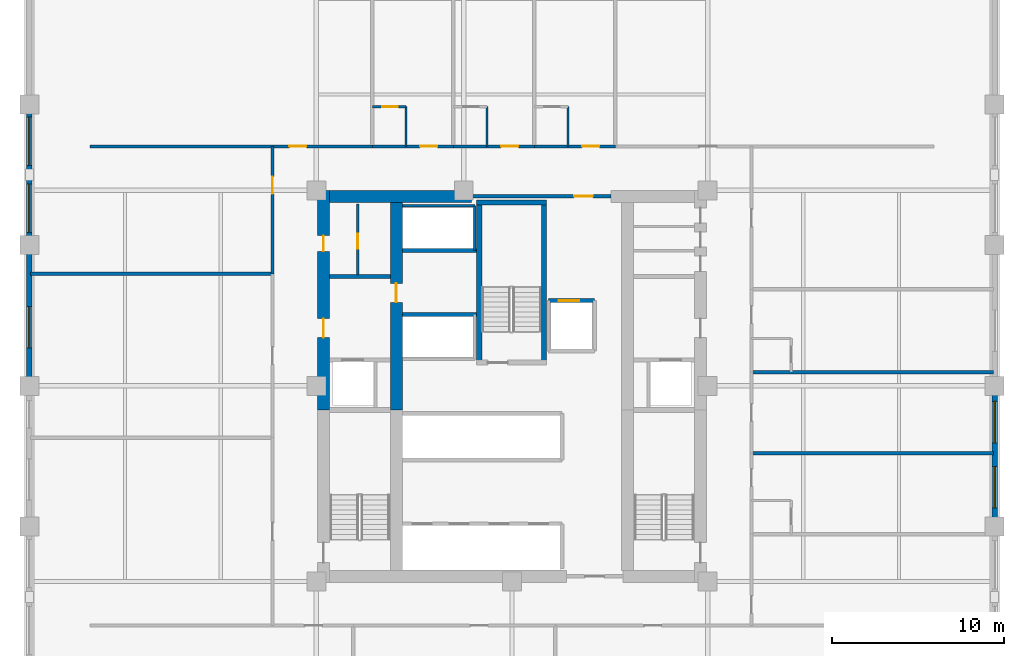
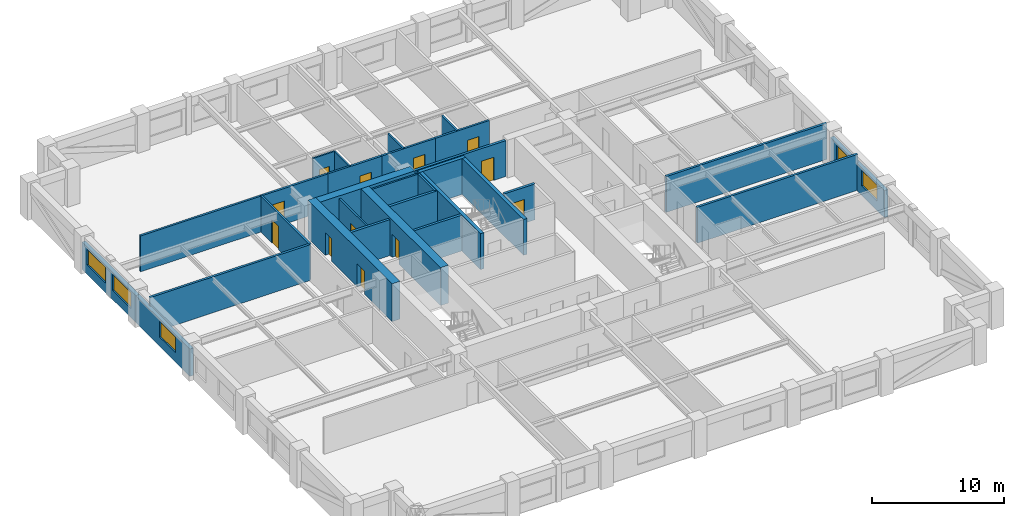
# One storey, part 4 of 7: 29 walls, 12 doors, 5 windows, 17 openings.
"""IFC4 building model written with IfcOpenShell, lengths in metres."""

from ifc_helpers import new_model, si_unit, direction, frame, frame_2d, origin, place, context, subcontext, project, spatial, rectangle, extrude, material, layer, layer_set, type_object, element, fill, save


model = new_model("IFC4")

# Units and contexts
model_context = context("Model", 3, precision=1e-05, world=origin(), true_north=direction((0.0, 1.0)))
body_context = subcontext(model_context, "Body", "Model", "MODEL_VIEW")
ifc_project = project(units=[si_unit("LENGTHUNIT", "METRE"), si_unit("AREAUNIT", "SQUARE_METRE"), si_unit("VOLUMEUNIT", "CUBIC_METRE"), si_unit("PLANEANGLEUNIT", "RADIAN"), si_unit("MASSUNIT", "GRAM", prefix="KILO")], contexts=[model_context])

# Site, building, storey
site_placement = place(None, origin())
site = spatial("IfcSite", under=ifc_project, at=site_placement, CompositionType="ELEMENT")
building_placement = place(site_placement, origin())
building = spatial("IfcBuilding", under=site, at=building_placement, Name="Nhamokura Convention Tower", CompositionType="ELEMENT")
storey_placement = place(building_placement, frame((0.0, 0.0, 52.85009765625)))
storey = spatial("IfcBuildingStorey", under=building, at=storey_placement, Name="L11", CompositionType="ELEMENT", Elevation=52.85009765625)

# Wall, opening, door
ifc_material_1 = material(Name="Moisture-resistant tile-backer partition", Category="masonry")
ifc_layer_1 = layer(ifc_material_1, 0.139892578125)
ifc_layer_set_1 = layer_set([ifc_layer_1], Name="BathroomWetWall_140")
wall_type_1 = type_object("IfcWallType", Name="BathroomWetWall_140", PredefinedType="STANDARD", material=ifc_layer_set_1)
wall_1_placement = place(storey_placement, frame((23.050048828125, 38.449951171875, 0.0), z_axis=(0.0, 0.0, 1.0), x_axis=(0.0, 1.0, 0.0)))
wall_1 = element("IfcWall", 1, at=wall_1_placement, inside=storey, type_object=wall_type_1, Name="L11 Wall INT-L11-CWNWV", PredefinedType="STANDARD", context=body_context, shape_type="SweptSolid", body=[
    extrude(rectangle(XDim=4.10009765625, YDim=0.139892578125, at=frame_2d((2.050048828125, 0.0))), origin(), (0.0, 0.0, 1.0), 3.31982421875),
])
opening_1_placement = place(wall_1_placement, frame((1.5, 0.0, 0.0)))
opening_1 = element("IfcOpeningElement", 2, at=opening_1_placement, cuts=wall_1, Name="Opening D-11", PredefinedType="OPENING", context=body_context, shape_type="SweptSolid", body=[
    extrude(rectangle(XDim=0.8798828125, YDim=2.10009765625, at=frame_2d((0.43994140625, 1.050048828125))), frame((0.0, 0.079833984375, 0.0), z_axis=(0.0, -1.0, 0.0), x_axis=(1.0, 0.0, 0.0)), (0.0, 0.0, 1.0), 0.159912109375),
])
ifc_material_2 = material(Name="Solid oak hardwood", Category="wood")
door_type_1 = type_object("IfcDoorType", Name="BathroomDoor_880", OperationType="NOTDEFINED", PredefinedType="DOOR", material=ifc_material_2)
door_1_placement = place(opening_1_placement, origin())
door_1 = element("IfcDoor", 3, at=door_1_placement, inside=storey, type_object=door_type_1, Name="L11 Inner Store Door", OperationType="SINGLE_SWING_LEFT", OverallHeight=2.10009765625, OverallWidth=0.8798828125, PredefinedType="DOOR", context=body_context, shape_type="SweptSolid", body=[
    extrude(rectangle(XDim=0.8798828125, YDim=2.10009765625, at=frame_2d((0.43994140625, 1.050048828125))), frame((0.0, 0.02490234375, 0.0), z_axis=(0.0, -1.0, 0.0), x_axis=(1.0, 0.0, 0.0)), (0.0, 0.0, 1.0), 0.050048828125),
])
fill(opening_1, door_1)

# Wall
wall_2_placement = place(storey_placement, frame((25.85009765625, 45.89990234375, 0.0), z_axis=(0.0, 0.0, 1.0), x_axis=(0.0, 1.0, 0.0)))
element("IfcWall", 4, at=wall_2_placement, inside=storey, type_object=wall_type_1, Name="L11 Wall INT-L11-BW-N01E", PredefinedType="STANDARD", context=body_context, shape_type="SweptSolid", body=[
    extrude(rectangle(XDim=2.300048828125, YDim=0.139892578125, at=frame_2d((1.14990234375, 0.0))), origin(), (0.0, 0.0, 1.0), 3.31982421875),
])

# Wall, opening, door
wall_3_placement = place(storey_placement, frame((23.89990234375, 48.199951171875, 0.0), z_axis=(0.0, 0.0, 1.0), x_axis=(1.0, 0.0, 0.0)))
wall_3 = element("IfcWall", 5, at=wall_3_placement, inside=storey, type_object=wall_type_1, Name="L11 Wall INT-L11-BW-N01N", PredefinedType="STANDARD", context=body_context, shape_type="SweptSolid", body=[
    extrude(rectangle(XDim=1.9501953125, YDim=0.139892578125, at=frame_2d((0.97509765625, 0.0))), origin(), (0.0, 0.0, 1.0), 3.31982421875),
])
opening_2_placement = place(wall_3_placement, frame((0.580078125, 0.0, 0.0)))
opening_2 = element("IfcOpeningElement", 6, at=opening_2_placement, cuts=wall_3, Name="Opening D-11", PredefinedType="OPENING", context=body_context, shape_type="SweptSolid", body=[
    extrude(rectangle(XDim=0.8798828125, YDim=2.10009765625, at=frame_2d((0.43994140625, 1.050048828125))), frame((0.0, 0.079833984375, 0.0), z_axis=(0.0, -1.0, 0.0), x_axis=(1.0, 0.0, 0.0)), (0.0, 0.0, 1.0), 0.159912109375),
])
door_2_placement = place(opening_2_placement, origin())
door_2 = element("IfcDoor", 7, at=door_2_placement, inside=storey, type_object=door_type_1, Name="L11 Guest Room En-suite Door", OperationType="SINGLE_SWING_RIGHT", OverallHeight=2.10009765625, OverallWidth=0.8798828125, PredefinedType="DOOR", context=body_context, shape_type="SweptSolid", body=[
    extrude(rectangle(XDim=0.8798828125, YDim=2.10009765625, at=frame_2d((0.43994140625, 1.050048828125))), frame((0.0, 0.02490234375, 0.0), z_axis=(0.0, -1.0, 0.0), x_axis=(1.0, 0.0, 0.0)), (0.0, 0.0, 1.0), 0.050048828125),
])
fill(opening_2, door_2)

# Walls
for number, where, z_axis, x_axis, name in (
    (8, (30.550048828125, 45.89990234375, 0.0), (0.0, 0.0, 1.0), (0.0, 1.0, 0.0), "L11 Wall INT-L11-BW-N02E"),
    (9, (35.25, 45.89990234375, 0.0), (0.0, 0.0, 1.0), (0.0, 1.0, 0.0), "L11 Wall INT-L11-BW-N03E"),
):
    element("IfcWall", number, at=place(storey_placement, frame(where, z_axis=z_axis, x_axis=x_axis)), inside=storey, type_object=wall_type_1, Name=name, PredefinedType="STANDARD", context=body_context, shape_type="SweptSolid", body=[
        extrude(rectangle(XDim=2.300048828125, YDim=0.139892578125, at=frame_2d((1.14990234375, 0.0))), origin(), (0.0, 0.0, 1.0), 3.31982421875),
    ])

# Wall, opening, window
ifc_material_3 = material(Name="Bronze-pigmented precast concrete C45/55", Category="concrete")
ifc_layer_2 = layer(ifc_material_3, 0.320068359375)
ifc_layer_set_2 = layer_set([ifc_layer_2], Name="BronzePrecastSpandrel_320")
wall_type_2 = type_object("IfcWallType", Name="BronzePrecastSpandrel_320", PredefinedType="USERDEFINED", material=ifc_layer_set_2)
wall_4_placement = place(storey_placement, frame((4.0, 32.0, 0.0), z_axis=(0.0, 0.0, 1.0), x_axis=(0.0, 1.0, 0.0)))
wall_4 = element("IfcWall", 10, at=wall_4_placement, inside=storey, type_object=wall_type_2, Name="L11 Masonry-Frame Wall WEST 3", ObjectType="SPANDREL_WALL", PredefinedType="USERDEFINED", context=body_context, shape_type="SweptSolid", body=[
    extrude(rectangle(XDim=8.166748046875, YDim=0.320068359375, at=frame_2d((4.08349609375, 0.0))), origin(), (0.0, 0.0, 1.0), 2.52001953125),
])
opening_3_placement = place(wall_4_placement, frame((2.199951171875, 0.0, 0.85009765625)))
opening_3 = element("IfcOpeningElement", 11, at=opening_3_placement, cuts=wall_4, Name="Opening W-03", PredefinedType="OPENING", context=body_context, shape_type="SweptSolid", body=[
    extrude(rectangle(XDim=2.39990234375, YDim=1.469970703125, at=frame_2d((1.199951171875, 0.73486328125))), frame((0.0, 0.169921875, 0.0), z_axis=(0.0, -1.0, 0.0), x_axis=(1.0, 0.0, 0.0)), (0.0, 0.0, 1.0), 0.340087890625),
])
ifc_material_4 = material(Name="Solar-control bronze low-E double glass", Category="glass")
window_type_1 = type_object("IfcWindowType", Name="HotelBayWindow_2400", PartitioningType="DOUBLE_PANEL_VERTICAL", PredefinedType="WINDOW", material=ifc_material_4)
window_1_placement = place(opening_3_placement, origin())
window_1 = element("IfcWindow", 12, at=window_1_placement, inside=storey, type_object=window_type_1, Name="L11 Facade Window WEST 3-1", OverallHeight=1.469970703125, OverallWidth=2.39990234375, PartitioningType="SINGLE_PANEL", PredefinedType="WINDOW", context=body_context, shape_type="SweptSolid", body=[
    extrude(rectangle(XDim=2.39990234375, YDim=1.469970703125, at=frame_2d((1.199951171875, 0.73486328125))), frame((0.0, 0.030029296875, 0.0), z_axis=(0.0, -1.0, 0.0), x_axis=(1.0, 0.0, 0.0)), (0.0, 0.0, 1.0), 0.06005859375),
])
fill(opening_3, window_1)

# Wall, openings, windows
wall_5_placement = place(storey_placement, frame((4.0, 40.166748046875, 0.0), z_axis=(0.0, 0.0, 1.0), x_axis=(0.0, 1.0, 0.0)))
wall_5 = element("IfcWall", 13, at=wall_5_placement, inside=storey, type_object=wall_type_2, Name="L11 Masonry-Frame Wall WEST 4", ObjectType="SPANDREL_WALL", PredefinedType="USERDEFINED", context=body_context, shape_type="SweptSolid", body=[
    extrude(rectangle(XDim=8.16650390625, YDim=0.320068359375, at=frame_2d((4.083251953125, 0.0))), origin(), (0.0, 0.0, 1.0), 2.52001953125),
])
opening_4_placement = place(wall_5_placement, frame((0.74169921875, 0.0, 0.85009765625)))
opening_4 = element("IfcOpeningElement", 14, at=opening_4_placement, cuts=wall_5, Name="Opening W-04", PredefinedType="OPENING", context=body_context, shape_type="SweptSolid", body=[
    extrude(rectangle(XDim=2.800048828125, YDim=1.469970703125, at=frame_2d((1.39990234375, 0.73486328125))), frame((0.0, 0.169921875, 0.0), z_axis=(0.0, -1.0, 0.0), x_axis=(1.0, 0.0, 0.0)), (0.0, 0.0, 1.0), 0.340087890625),
])
opening_5_placement = place(wall_5_placement, frame((4.625, 0.0, 0.85009765625)))
opening_5 = element("IfcOpeningElement", 15, at=opening_5_placement, cuts=wall_5, Name="Opening W-04", PredefinedType="OPENING", context=body_context, shape_type="SweptSolid", body=[
    extrude(rectangle(XDim=2.800048828125, YDim=1.469970703125, at=frame_2d((1.39990234375, 0.73486328125))), frame((0.0, 0.169921875, 0.0), z_axis=(0.0, -1.0, 0.0), x_axis=(1.0, 0.0, 0.0)), (0.0, 0.0, 1.0), 0.340087890625),
])
ifc_material_5 = material(Name="Solar-control bronze low-E double glass", Category="glass")
window_type_2 = type_object("IfcWindowType", Name="HotelSuiteWindow_2800", PartitioningType="DOUBLE_PANEL_VERTICAL", PredefinedType="WINDOW", material=ifc_material_5)
window_2_placement = place(opening_4_placement, origin())
window_2 = element("IfcWindow", 16, at=window_2_placement, inside=storey, type_object=window_type_2, Name="L11 Facade Window WEST 4-1", OverallHeight=1.469970703125, OverallWidth=2.800048828125, PartitioningType="SINGLE_PANEL", PredefinedType="WINDOW", context=body_context, shape_type="SweptSolid", body=[
    extrude(rectangle(XDim=2.800048828125, YDim=1.469970703125, at=frame_2d((1.39990234375, 0.73486328125))), frame((0.0, 0.030029296875, 0.0), z_axis=(0.0, -1.0, 0.0), x_axis=(1.0, 0.0, 0.0)), (0.0, 0.0, 1.0), 0.06005859375),
])
fill(opening_4, window_2)
window_3_placement = place(opening_5_placement, origin())
window_3 = element("IfcWindow", 17, at=window_3_placement, inside=storey, type_object=window_type_2, Name="L11 Facade Window WEST 4-2", OverallHeight=1.469970703125, OverallWidth=2.800048828125, PartitioningType="SINGLE_PANEL", PredefinedType="WINDOW", context=body_context, shape_type="SweptSolid", body=[
    extrude(rectangle(XDim=2.800048828125, YDim=1.469970703125, at=frame_2d((1.39990234375, 0.73486328125))), frame((0.0, 0.030029296875, 0.0), z_axis=(0.0, -1.0, 0.0), x_axis=(1.0, 0.0, 0.0)), (0.0, 0.0, 1.0), 0.06005859375),
])
fill(opening_5, window_3)

wall_6_placement = place(storey_placement, frame((60.0, 32.0, 0.0), z_axis=(0.0, 0.0, 1.0), x_axis=(0.0, -1.0, 0.0)))
wall_6 = element("IfcWall", 18, at=wall_6_placement, inside=storey, type_object=wall_type_2, Name="L11 Masonry-Frame Wall EAST 2", ObjectType="SPANDREL_WALL", PredefinedType="USERDEFINED", context=body_context, shape_type="SweptSolid", body=[
    extrude(rectangle(XDim=8.166748046875, YDim=0.320068359375, at=frame_2d((4.08349609375, 0.0))), origin(), (0.0, 0.0, 1.0), 2.52001953125),
])
opening_6_placement = place(wall_6_placement, frame((0.89990234375, 0.0, 0.85009765625)))
opening_6 = element("IfcOpeningElement", 19, at=opening_6_placement, cuts=wall_6, Name="Opening W-03", PredefinedType="OPENING", context=body_context, shape_type="SweptSolid", body=[
    extrude(rectangle(XDim=2.39990234375, YDim=1.469970703125, at=frame_2d((1.199951171875, 0.73486328125))), frame((0.0, 0.169921875, 0.0), z_axis=(0.0, -1.0, 0.0), x_axis=(1.0, 0.0, 0.0)), (0.0, 0.0, 1.0), 0.340087890625),
])
opening_7_placement = place(wall_6_placement, frame((4.683349609375, 0.0, 0.85009765625)))
opening_7 = element("IfcOpeningElement", 20, at=opening_7_placement, cuts=wall_6, Name="Opening W-03", PredefinedType="OPENING", context=body_context, shape_type="SweptSolid", body=[
    extrude(rectangle(XDim=2.39990234375, YDim=1.469970703125, at=frame_2d((1.199951171875, 0.73486328125))), frame((0.0, 0.169921875, 0.0), z_axis=(0.0, -1.0, 0.0), x_axis=(1.0, 0.0, 0.0)), (0.0, 0.0, 1.0), 0.340087890625),
])
window_4_placement = place(opening_6_placement, origin())
window_4 = element("IfcWindow", 21, at=window_4_placement, inside=storey, type_object=window_type_1, Name="L11 Facade Window EAST 2-1", OverallHeight=1.469970703125, OverallWidth=2.39990234375, PartitioningType="SINGLE_PANEL", PredefinedType="WINDOW", context=body_context, shape_type="SweptSolid", body=[
    extrude(rectangle(XDim=2.39990234375, YDim=1.469970703125, at=frame_2d((1.199951171875, 0.73486328125))), frame((0.0, 0.030029296875, 0.0), z_axis=(0.0, -1.0, 0.0), x_axis=(1.0, 0.0, 0.0)), (0.0, 0.0, 1.0), 0.06005859375),
])
fill(opening_6, window_4)
window_5_placement = place(opening_7_placement, origin())
window_5 = element("IfcWindow", 22, at=window_5_placement, inside=storey, type_object=window_type_1, Name="L11 Facade Window EAST 2-2", OverallHeight=1.469970703125, OverallWidth=2.39990234375, PartitioningType="SINGLE_PANEL", PredefinedType="WINDOW", context=body_context, shape_type="SweptSolid", body=[
    extrude(rectangle(XDim=2.39990234375, YDim=1.469970703125, at=frame_2d((1.199951171875, 0.73486328125))), frame((0.0, 0.030029296875, 0.0), z_axis=(0.0, -1.0, 0.0), x_axis=(1.0, 0.0, 0.0)), (0.0, 0.0, 1.0), 0.06005859375),
])
fill(opening_7, window_5)

# Wall, openings, doors
ifc_material_6 = material(Name="Concrete C70/85", Category="concrete")
ifc_layer_3 = layer(ifc_material_6, 0.699951171875)
ifc_layer_set_3 = layer_set([ifc_layer_3], Name="CoreShearWall_700")
wall_type_3 = type_object("IfcWallType", Name="CoreShearWall_700", PredefinedType="SHEAR", material=ifc_layer_set_3)
wall_7_placement = place(storey_placement, frame((21.06005859375, 30.60009765625, 0.0), z_axis=(0.0, 0.0, 1.0), x_axis=(0.0, 1.0, 0.0)))
wall_7 = element("IfcWall", 23, at=wall_7_placement, inside=storey, type_object=wall_type_3, Name="L11 Core Shear Wall CW-WN", PredefinedType="SHEAR", context=body_context, shape_type="SweptSolid", body=[
    extrude(rectangle(XDim=12.75, YDim=0.699951171875, at=frame_2d((6.375, 0.0))), origin(), (0.0, 0.0, 1.0), 3.5),
])
opening_8_placement = place(wall_7_placement, frame((4.199951171875, 0.0, 0.0)))
opening_8 = element("IfcOpeningElement", 24, at=opening_8_placement, cuts=wall_7, Name="Opening D-05", PredefinedType="OPENING", context=body_context, shape_type="SweptSolid", body=[
    extrude(rectangle(XDim=1.10009765625, YDim=2.14990234375, at=frame_2d((0.550048828125, 1.074951171875))), frame((0.0, 0.35986328125, 0.0), z_axis=(0.0, -1.0, 0.0), x_axis=(1.0, 0.0, 0.0)), (0.0, 0.0, 1.0), 0.719970703125),
])
opening_9_placement = place(wall_7_placement, frame((9.199951171875, 0.0, 0.0)))
opening_9 = element("IfcOpeningElement", 25, at=opening_9_placement, cuts=wall_7, Name="Opening D-10", PredefinedType="OPENING", context=body_context, shape_type="SweptSolid", body=[
    extrude(rectangle(XDim=0.919921875, YDim=2.10009765625, at=frame_2d((0.4599609375, 1.050048828125))), frame((0.0, 0.35986328125, 0.0), z_axis=(0.0, -1.0, 0.0), x_axis=(1.0, 0.0, 0.0)), (0.0, 0.0, 1.0), 0.719970703125),
])
ifc_material_7 = material(Name="Solid oak hardwood", Category="wood")
door_type_2 = type_object("IfcDoorType", Name="AccessibleWCDoor_920", OperationType="NOTDEFINED", PredefinedType="DOOR", material=ifc_material_7)
door_3_placement = place(opening_9_placement, origin())
door_3 = element("IfcDoor", 26, at=door_3_placement, inside=storey, type_object=door_type_2, Name="L11 Core Door INT-L11-D-AWCW", OperationType="SINGLE_SWING_RIGHT", OverallHeight=2.10009765625, OverallWidth=0.919921875, PredefinedType="DOOR", context=body_context, shape_type="SweptSolid", body=[
    extrude(rectangle(XDim=0.919921875, YDim=2.10009765625, at=frame_2d((0.4599609375, 1.050048828125))), frame((0.0, 0.02490234375, 0.0), z_axis=(0.0, -1.0, 0.0), x_axis=(1.0, 0.0, 0.0)), (0.0, 0.0, 1.0), 0.050048828125),
])
fill(opening_9, door_3)
ifc_material_8 = material(Name="Fire-rated steel door", Category="steel")
door_type_3 = type_object("IfcDoorType", Name="FireLobbyDoor_1100", OperationType="NOTDEFINED", PredefinedType="DOOR", material=ifc_material_8)
door_4_placement = place(opening_8_placement, origin())
door_4 = element("IfcDoor", 27, at=door_4_placement, inside=storey, type_object=door_type_3, Name="L11 Core Door INT-L11-D-FFLW", OperationType="SINGLE_SWING_RIGHT", OverallHeight=2.14990234375, OverallWidth=1.10009765625, PredefinedType="DOOR", context=body_context, shape_type="SweptSolid", body=[
    extrude(rectangle(XDim=1.10009765625, YDim=2.14990234375, at=frame_2d((0.550048828125, 1.074951171875))), frame((0.0, 0.02490234375, 0.0), z_axis=(0.0, -1.0, 0.0), x_axis=(1.0, 0.0, 0.0)), (0.0, 0.0, 1.0), 0.050048828125),
])
fill(opening_8, door_4)

# Wall
wall_8_placement = place(storey_placement, frame((21.409912109375, 43.0, 0.0), z_axis=(0.0, 0.0, 1.0), x_axis=(1.0, 0.0, 0.0)))
element("IfcWall", 28, at=wall_8_placement, inside=storey, type_object=wall_type_3, Name="L11 Core Shear Wall CW-N1", PredefinedType="SHEAR", context=body_context, shape_type="SweptSolid", body=[
    extrude(rectangle(XDim=8.239990234375, YDim=0.699951171875, at=frame_2d((4.1201171875, 0.0))), origin(), (0.0, 0.0, 1.0), 3.5),
])

# Wall, opening, door
wall_9_placement = place(storey_placement, frame((25.2900390625, 30.60009765625, 0.0), z_axis=(0.0, 0.0, 1.0), x_axis=(0.0, 1.0, 0.0)))
wall_9 = element("IfcWall", 29, at=wall_9_placement, inside=storey, type_object=wall_type_3, Name="L11 Core Shear Wall CW-IWN", PredefinedType="SHEAR", context=body_context, shape_type="SweptSolid", body=[
    extrude(rectangle(XDim=12.0498046875, YDim=0.699951171875, at=frame_2d((6.02490234375, 0.0))), origin(), (0.0, 0.0, 1.0), 3.5),
])
opening_10_placement = place(wall_9_placement, frame((6.25, 0.0, 0.0)))
opening_10 = element("IfcOpeningElement", 30, at=opening_10_placement, cuts=wall_9, Name="Opening D-05", PredefinedType="OPENING", context=body_context, shape_type="SweptSolid", body=[
    extrude(rectangle(XDim=1.10009765625, YDim=2.14990234375, at=frame_2d((0.550048828125, 1.074951171875))), frame((0.0, 0.35986328125, 0.0), z_axis=(0.0, -1.0, 0.0), x_axis=(1.0, 0.0, 0.0)), (0.0, 0.0, 1.0), 0.719970703125),
])
door_5_placement = place(opening_10_placement, origin())
door_5 = element("IfcDoor", 31, at=door_5_placement, inside=storey, type_object=door_type_3, Name="L11 Core Door INT-L11-D-B3LOB", OperationType="SINGLE_SWING_LEFT", OverallHeight=2.14990234375, OverallWidth=1.10009765625, PredefinedType="DOOR", context=body_context, shape_type="SweptSolid", body=[
    extrude(rectangle(XDim=1.10009765625, YDim=2.14990234375, at=frame_2d((0.550048828125, 1.074951171875))), frame((0.0, 0.02490234375, 0.0), z_axis=(0.0, -1.0, 0.0), x_axis=(1.0, 0.0, 0.0)), (0.0, 0.0, 1.0), 0.050048828125),
])
fill(opening_10, door_5)

ifc_material_9 = material(Name="Fire-rated gypsum and masonry partition", Category="masonry")
ifc_layer_4 = layer(ifc_material_9, 0.179931640625)
ifc_layer_set_4 = layer_set([ifc_layer_4], Name="CorridorRatedWall_180")
wall_type_4 = type_object("IfcWallType", Name="CorridorRatedWall_180", PredefinedType="STANDARD", material=ifc_layer_set_4)
wall_10_placement = place(storey_placement, frame((7.5, 45.89990234375, 0.0), z_axis=(0.0, 0.0, 1.0), x_axis=(1.0, 0.0, 0.0)))
wall_10 = element("IfcWall", 32, at=wall_10_placement, inside=storey, type_object=wall_type_4, Name="L11 Wall INT-L11-CW-N00", PredefinedType="STANDARD", context=body_context, shape_type="SweptSolid", body=[
    extrude(rectangle(XDim=16.39990234375, YDim=0.179931640625, at=frame_2d((8.199951171875, 0.0))), origin(), (0.0, 0.0, 1.0), 3.31982421875),
])
opening_11_placement = place(wall_10_placement, frame((11.574951171875, 0.0, 0.0)))
opening_11 = element("IfcOpeningElement", 33, at=opening_11_placement, cuts=wall_10, Name="Opening D-07", PredefinedType="OPENING", context=body_context, shape_type="SweptSolid", body=[
    extrude(rectangle(XDim=1.0, YDim=2.14990234375, at=frame_2d((0.5, 1.074951171875))), frame((0.0, 0.099853515625, 0.0), z_axis=(0.0, -1.0, 0.0), x_axis=(1.0, 0.0, 0.0)), (0.0, 0.0, 1.0), 0.199951171875),
])
ifc_material_10 = material(Name="Solid oak hardwood", Category="wood")
door_type_4 = type_object("IfcDoorType", Name="HotelSuiteEntryDoor_1000", OperationType="NOTDEFINED", PredefinedType="DOOR", material=ifc_material_10)
door_6_placement = place(opening_11_placement, origin())
door_6 = element("IfcDoor", 34, at=door_6_placement, inside=storey, type_object=door_type_4, Name="L11 Conference Salon N01 Door", OperationType="SINGLE_SWING_LEFT", OverallHeight=2.14990234375, OverallWidth=1.0, PredefinedType="DOOR", context=body_context, shape_type="SweptSolid", body=[
    extrude(rectangle(XDim=1.0, YDim=2.14990234375, at=frame_2d((0.5, 1.074951171875))), frame((0.0, 0.02490234375, 0.0), z_axis=(0.0, -1.0, 0.0), x_axis=(1.0, 0.0, 0.0)), (0.0, 0.0, 1.0), 0.050048828125),
])
fill(opening_11, door_6)

wall_11_placement = place(storey_placement, frame((23.89990234375, 45.89990234375, 0.0), z_axis=(0.0, 0.0, 1.0), x_axis=(1.0, 0.0, 0.0)))
wall_11 = element("IfcWall", 35, at=wall_11_placement, inside=storey, type_object=wall_type_4, Name="L11 Wall INT-L11-CW-N01", PredefinedType="STANDARD", context=body_context, shape_type="SweptSolid", body=[
    extrude(rectangle(XDim=4.7001953125, YDim=0.179931640625, at=frame_2d((2.35009765625, 0.0))), origin(), (0.0, 0.0, 1.0), 3.31982421875),
])
opening_12_placement = place(wall_11_placement, frame((2.77490234375, 0.0, 0.0)))
opening_12 = element("IfcOpeningElement", 36, at=opening_12_placement, cuts=wall_11, Name="Opening D-07", PredefinedType="OPENING", context=body_context, shape_type="SweptSolid", body=[
    extrude(rectangle(XDim=1.0, YDim=2.14990234375, at=frame_2d((0.5, 1.074951171875))), frame((0.0, 0.099853515625, 0.0), z_axis=(0.0, -1.0, 0.0), x_axis=(1.0, 0.0, 0.0)), (0.0, 0.0, 1.0), 0.199951171875),
])
door_7_placement = place(opening_12_placement, origin())
door_7 = element("IfcDoor", 37, at=door_7_placement, inside=storey, type_object=door_type_4, Name="L11 Guest Room N02 Door", OperationType="SINGLE_SWING_RIGHT", OverallHeight=2.14990234375, OverallWidth=1.0, PredefinedType="DOOR", context=body_context, shape_type="SweptSolid", body=[
    extrude(rectangle(XDim=1.0, YDim=2.14990234375, at=frame_2d((0.5, 1.074951171875))), frame((0.0, 0.02490234375, 0.0), z_axis=(0.0, -1.0, 0.0), x_axis=(1.0, 0.0, 0.0)), (0.0, 0.0, 1.0), 0.050048828125),
])
fill(opening_12, door_7)

wall_12_placement = place(storey_placement, frame((28.60009765625, 45.89990234375, 0.0), z_axis=(0.0, 0.0, 1.0), x_axis=(1.0, 0.0, 0.0)))
wall_12 = element("IfcWall", 38, at=wall_12_placement, inside=storey, type_object=wall_type_4, Name="L11 Wall INT-L11-CW-N02", PredefinedType="STANDARD", context=body_context, shape_type="SweptSolid", body=[
    extrude(rectangle(XDim=4.699951171875, YDim=0.179931640625, at=frame_2d((2.35009765625, 0.0))), origin(), (0.0, 0.0, 1.0), 3.31982421875),
])
opening_13_placement = place(wall_12_placement, frame((2.77490234375, 0.0, 0.0)))
opening_13 = element("IfcOpeningElement", 39, at=opening_13_placement, cuts=wall_12, Name="Opening D-07", PredefinedType="OPENING", context=body_context, shape_type="SweptSolid", body=[
    extrude(rectangle(XDim=1.0, YDim=2.14990234375, at=frame_2d((0.5, 1.074951171875))), frame((0.0, 0.099853515625, 0.0), z_axis=(0.0, -1.0, 0.0), x_axis=(1.0, 0.0, 0.0)), (0.0, 0.0, 1.0), 0.199951171875),
])
door_8_placement = place(opening_13_placement, origin())
door_8 = element("IfcDoor", 40, at=door_8_placement, inside=storey, type_object=door_type_4, Name="L11 Guest Room N03 Door", OperationType="SINGLE_SWING_LEFT", OverallHeight=2.14990234375, OverallWidth=1.0, PredefinedType="DOOR", context=body_context, shape_type="SweptSolid", body=[
    extrude(rectangle(XDim=1.0, YDim=2.14990234375, at=frame_2d((0.5, 1.074951171875))), frame((0.0, 0.02490234375, 0.0), z_axis=(0.0, -1.0, 0.0), x_axis=(1.0, 0.0, 0.0)), (0.0, 0.0, 1.0), 0.050048828125),
])
fill(opening_13, door_8)

wall_13_placement = place(storey_placement, frame((33.300048828125, 45.89990234375, 0.0), z_axis=(0.0, 0.0, 1.0), x_axis=(1.0, 0.0, 0.0)))
wall_13 = element("IfcWall", 41, at=wall_13_placement, inside=storey, type_object=wall_type_4, Name="L11 Wall INT-L11-CW-N03", PredefinedType="STANDARD", context=body_context, shape_type="SweptSolid", body=[
    extrude(rectangle(XDim=4.699951171875, YDim=0.179931640625, at=frame_2d((2.35009765625, 0.0))), origin(), (0.0, 0.0, 1.0), 3.31982421875),
])
opening_14_placement = place(wall_13_placement, frame((2.77490234375, 0.0, 0.0)))
opening_14 = element("IfcOpeningElement", 42, at=opening_14_placement, cuts=wall_13, Name="Opening D-07", PredefinedType="OPENING", context=body_context, shape_type="SweptSolid", body=[
    extrude(rectangle(XDim=1.0, YDim=2.14990234375, at=frame_2d((0.5, 1.074951171875))), frame((0.0, 0.099853515625, 0.0), z_axis=(0.0, -1.0, 0.0), x_axis=(1.0, 0.0, 0.0)), (0.0, 0.0, 1.0), 0.199951171875),
])
door_9_placement = place(opening_14_placement, origin())
door_9 = element("IfcDoor", 43, at=door_9_placement, inside=storey, type_object=door_type_4, Name="L11 Guest Room N04 Door", OperationType="SINGLE_SWING_RIGHT", OverallHeight=2.14990234375, OverallWidth=1.0, PredefinedType="DOOR", context=body_context, shape_type="SweptSolid", body=[
    extrude(rectangle(XDim=1.0, YDim=2.14990234375, at=frame_2d((0.5, 1.074951171875))), frame((0.0, 0.02490234375, 0.0), z_axis=(0.0, -1.0, 0.0), x_axis=(1.0, 0.0, 0.0)), (0.0, 0.0, 1.0), 0.050048828125),
])
fill(opening_14, door_9)

wall_14_placement = place(storey_placement, frame((18.10009765625, 38.5, 0.0), z_axis=(0.0, 0.0, 1.0), x_axis=(0.0, 1.0, 0.0)))
wall_14 = element("IfcWall", 44, at=wall_14_placement, inside=storey, type_object=wall_type_4, Name="L11 Wall INT-L11-CW-W02", PredefinedType="STANDARD", context=body_context, shape_type="SweptSolid", body=[
    extrude(rectangle(XDim=7.39990234375, YDim=0.179931640625, at=frame_2d((3.699951171875, 0.0))), origin(), (0.0, 0.0, 1.0), 3.31982421875),
])
opening_15_placement = place(wall_14_placement, frame((4.64990234375, 0.0, 0.0)))
opening_15 = element("IfcOpeningElement", 45, at=opening_15_placement, cuts=wall_14, Name="Opening D-07", PredefinedType="OPENING", context=body_context, shape_type="SweptSolid", body=[
    extrude(rectangle(XDim=1.0, YDim=2.14990234375, at=frame_2d((0.5, 1.074951171875))), frame((0.0, 0.099853515625, 0.0), z_axis=(0.0, -1.0, 0.0), x_axis=(1.0, 0.0, 0.0)), (0.0, 0.0, 1.0), 0.199951171875),
])
door_10_placement = place(opening_15_placement, origin())
door_10 = element("IfcDoor", 46, at=door_10_placement, inside=storey, type_object=door_type_4, Name="L11 Reading Lounge W03 Door", OperationType="SINGLE_SWING_LEFT", OverallHeight=2.14990234375, OverallWidth=1.0, PredefinedType="DOOR", context=body_context, shape_type="SweptSolid", body=[
    extrude(rectangle(XDim=1.0, YDim=2.14990234375, at=frame_2d((0.5, 1.074951171875))), frame((0.0, 0.02490234375, 0.0), z_axis=(0.0, -1.0, 0.0), x_axis=(1.0, 0.0, 0.0)), (0.0, 0.0, 1.0), 0.050048828125),
])
fill(opening_15, door_10)

# Walls
ifc_material_11 = material(Name="Autoclaved concrete blockwork", Category="masonry")
ifc_layer_5 = layer(ifc_material_11, 0.219970703125)
ifc_layer_set_5 = layer_set([ifc_layer_5], Name="FireLobbyWall_220")
wall_type_5 = type_object("IfcWallType", Name="FireLobbyWall_220", PredefinedType="STANDARD", material=ifc_layer_set_5)
wall_15_placement = place(storey_placement, frame((21.409912109375, 38.35009765625, 0.0), z_axis=(0.0, 0.0, 1.0), x_axis=(1.0, 0.0, 0.0)))
element("IfcWall", 47, at=wall_15_placement, inside=storey, type_object=wall_type_5, Name="L11 Wall INT-L11-FFW-N", PredefinedType="STANDARD", context=body_context, shape_type="SweptSolid", body=[
    extrude(rectangle(XDim=3.530029296875, YDim=0.219970703125, at=frame_2d((1.76513671875, 0.0))), origin(), (0.0, 0.0, 1.0), 3.31982421875),
])
for number, where, z_axis, x_axis, name in (
    (48, (25.64990234375, 36.14990234375, 0.0), (0.0, 0.0, 1.0), (1.0, 0.0, 0.0), "L11 Wall INT-L11-B3S"),
    (49, (25.64990234375, 39.85009765625, 0.0), (0.0, 0.0, 1.0), (1.0, 0.0, 0.0), "L11 Wall INT-L11-B3N"),
):
    element("IfcWall", number, at=place(storey_placement, frame(where, z_axis=z_axis, x_axis=x_axis)), inside=storey, type_object=wall_type_5, Name=name, PredefinedType="STANDARD", context=body_context, shape_type="SweptSolid", body=[
        extrude(rectangle(XDim=4.300048828125, YDim=0.219970703125, at=frame_2d((2.14990234375, 0.0))), origin(), (0.0, 0.0, 1.0), 3.31982421875),
    ])

# Wall, opening, door
wall_16_placement = place(storey_placement, frame((29.64990234375, 43.0, 0.0), z_axis=(0.0, 0.0, 1.0), x_axis=(1.0, 0.0, 0.0)))
wall_16 = element("IfcWall", 50, at=wall_16_placement, inside=storey, type_object=wall_type_5, Name="L11 Wall INT-L11-CPORT-N", PredefinedType="STANDARD", context=body_context, shape_type="SweptSolid", body=[
    extrude(rectangle(XDim=8.10009765625, YDim=0.219970703125, at=frame_2d((4.050048828125, 0.0))), origin(), (0.0, 0.0, 1.0), 3.31982421875),
])
opening_16_placement = place(wall_16_placement, frame((5.949951171875, 0.0, 0.0)))
opening_16 = element("IfcOpeningElement", 51, at=opening_16_placement, cuts=wall_16, Name="Opening D-05", PredefinedType="OPENING", context=body_context, shape_type="SweptSolid", body=[
    extrude(rectangle(XDim=1.10009765625, YDim=2.14990234375, at=frame_2d((0.550048828125, 1.074951171875))), frame((0.0, 0.119873046875, 0.0), z_axis=(0.0, -1.0, 0.0), x_axis=(1.0, 0.0, 0.0)), (0.0, 0.0, 1.0), 0.239990234375),
])
door_11_placement = place(opening_16_placement, origin())
door_11 = element("IfcDoor", 52, at=door_11_placement, inside=storey, type_object=door_type_3, Name="L11 North Core Lobby Portal Door", OperationType="SINGLE_SWING_RIGHT", OverallHeight=2.14990234375, OverallWidth=1.10009765625, PredefinedType="DOOR", context=body_context, shape_type="SweptSolid", body=[
    extrude(rectangle(XDim=1.10009765625, YDim=2.14990234375, at=frame_2d((0.550048828125, 1.074951171875))), frame((0.0, 0.02490234375, 0.0), z_axis=(0.0, -1.0, 0.0), x_axis=(1.0, 0.0, 0.0)), (0.0, 0.0, 1.0), 0.050048828125),
])
fill(opening_16, door_11)

wall_17_placement = place(storey_placement, frame((34.1201171875, 36.949951171875, 0.0), z_axis=(0.0, 0.0, 1.0), x_axis=(1.0, 0.0, 0.0)))
wall_17 = element("IfcWall", 53, at=wall_17_placement, inside=storey, type_object=wall_type_5, Name="L11 Wall INT-L11-LSN", PredefinedType="STANDARD", context=body_context, shape_type="SweptSolid", body=[
    extrude(rectangle(XDim=2.679931640625, YDim=0.219970703125, at=frame_2d((1.33984375, 0.0))), origin(), (0.0, 0.0, 1.0), 3.31982421875),
])
opening_17_placement = place(wall_17_placement, frame((0.580078125, 0.0, 0.0)))
opening_17 = element("IfcOpeningElement", 54, at=opening_17_placement, cuts=wall_17, Name="Opening LD-02", PredefinedType="OPENING", context=body_context, shape_type="SweptSolid", body=[
    extrude(rectangle(XDim=1.199951171875, YDim=2.199951171875, at=frame_2d((0.60009765625, 1.10009765625))), frame((0.0, 0.119873046875, 0.0), z_axis=(0.0, -1.0, 0.0), x_axis=(1.0, 0.0, 0.0)), (0.0, 0.0, 1.0), 0.239990234375),
])
ifc_material_12 = material(Name="Anodised bronze stainless steel", Category="steel")
door_type_5 = type_object("IfcDoorType", Name="LiftLandingDoor_FireService", OperationType="DOUBLE_DOOR_SLIDING", PredefinedType="DOOR", material=ifc_material_12)
door_12_placement = place(opening_17_placement, origin())
door_12 = element("IfcDoor", 55, at=door_12_placement, inside=storey, type_object=door_type_5, Name="L11 Service Lift LS-01 Door", OperationType="DOUBLE_DOOR_SLIDING", OverallHeight=2.199951171875, OverallWidth=1.199951171875, PredefinedType="DOOR", context=body_context, shape_type="SweptSolid", body=[
    extrude(rectangle(XDim=1.199951171875, YDim=2.199951171875, at=frame_2d((0.60009765625, 1.10009765625))), frame((0.0, 0.02490234375, 0.0), z_axis=(0.0, -1.0, 0.0), x_axis=(1.0, 0.0, 0.0)), (0.0, 0.0, 1.0), 0.050048828125),
])
fill(opening_17, door_12)

# Walls
ifc_material_13 = material(Name="Acoustic twin-stud gypsum partition", Category="masonry")
ifc_layer_6 = layer(ifc_material_13, 0.199951171875)
ifc_layer_set_6 = layer_set([ifc_layer_6], Name="HotelDemisingWall_200")
wall_type_6 = type_object("IfcWallType", Name="HotelDemisingWall_200", PredefinedType="STANDARD", material=ifc_layer_set_6)
for number, where, z_axis, x_axis, name in (
    (56, (4.06005859375, 38.5, 0.0), (0.0, 0.0, 1.0), (1.0, 0.0, 0.0), "L11 Wall INT-L11-RW-W02"),
    (57, (45.89990234375, 28.10009765625, 0.0), (0.0, 0.0, 1.0), (1.0, 0.0, 0.0), "L11 Wall INT-L11-RW-E02"),
    (58, (45.89990234375, 32.800048828125, 0.0), (0.0, 0.0, 1.0), (1.0, 0.0, 0.0), "L11 Wall INT-L11-RW-E03"),
):
    element("IfcWall", number, at=place(storey_placement, frame(where, z_axis=z_axis, x_axis=x_axis)), inside=storey, type_object=wall_type_6, Name=name, PredefinedType="STANDARD", context=body_context, shape_type="SweptSolid", body=[
        extrude(rectangle(XDim=14.0400390625, YDim=0.199951171875, at=frame_2d((7.02001953125, 0.0))), origin(), (0.0, 0.0, 1.0), 3.31982421875),
    ])
ifc_material_14 = material(Name="Acoustic gypsum stud partition", Category="masonry")
ifc_layer_7 = layer(ifc_material_14, 0.14990234375)
ifc_layer_set_7 = layer_set([ifc_layer_7], Name="InteriorPartition_150")
wall_type_7 = type_object("IfcWallType", Name="InteriorPartition_150", PredefinedType="STANDARD", material=ifc_layer_set_7)
wall_18_placement = place(storey_placement, frame((25.64990234375, 42.449951171875, 0.0), z_axis=(0.0, 0.0, 1.0), x_axis=(1.0, 0.0, 0.0)))
element("IfcWall", 59, at=wall_18_placement, inside=storey, type_object=wall_type_7, Name="L11 Wall INT-L11-B3B-N", PredefinedType="STANDARD", context=body_context, shape_type="SweptSolid", body=[
    extrude(rectangle(XDim=4.2001953125, YDim=0.14990234375, at=frame_2d((2.10009765625, 0.0))), origin(), (0.0, 0.0, 1.0), 3.31982421875),
])
wall_19_placement = place(storey_placement, frame((29.85009765625, 39.85009765625, 0.0), z_axis=(0.0, 0.0, 1.0), x_axis=(0.0, 1.0, 0.0)))
element("IfcWall", 60, at=wall_19_placement, inside=storey, type_object=wall_type_7, Name="L11 Wall INT-L11-B3B-E", PredefinedType="STANDARD", context=body_context, shape_type="SweptSolid", body=[
    extrude(rectangle(XDim=2.599853515625, YDim=0.14990234375, at=frame_2d((1.2998046875, 0.0))), origin(), (0.0, 0.0, 1.0), 3.31982421875),
])
ifc_material_15 = material(Name="Concrete C50/60", Category="concrete")
ifc_layer_8 = layer(ifc_material_15, 0.300048828125)
ifc_layer_set_8 = layer_set([ifc_layer_8], Name="ShaftEnclosureWall_300")
wall_type_8 = type_object("IfcWallType", Name="ShaftEnclosureWall_300", PredefinedType="SHEAR", material=ifc_layer_set_8)
for number, where, z_axis, x_axis, name in (
    (61, (30.10009765625, 33.199951171875, 0.0), (0.0, 0.0, 1.0), (0.0, 1.0, 0.0), "L11 Wall INT-L11-ST03W"),
    (62, (33.85009765625, 33.199951171875, 0.0), (0.0, 0.0, 1.0), (0.0, 1.0, 0.0), "L11 Wall INT-L11-ST03E"),
):
    element("IfcWall", number, at=place(storey_placement, frame(where, z_axis=z_axis, x_axis=x_axis)), inside=storey, type_object=wall_type_8, Name=name, PredefinedType="SHEAR", context=body_context, shape_type="SweptSolid", body=[
        extrude(rectangle(XDim=9.60009765625, YDim=0.300048828125, at=frame_2d((4.800048828125, 0.0))), origin(), (0.0, 0.0, 1.0), 3.31982421875),
    ])
wall_20_placement = place(storey_placement, frame((29.949951171875, 42.64990234375, 0.0), z_axis=(0.0, 0.0, 1.0), x_axis=(1.0, 0.0, 0.0)))
element("IfcWall", 63, at=wall_20_placement, inside=storey, type_object=wall_type_8, Name="L11 Wall INT-L11-ST03N", PredefinedType="SHEAR", context=body_context, shape_type="SweptSolid", body=[
    extrude(rectangle(XDim=4.050048828125, YDim=0.300048828125, at=frame_2d((2.02490234375, 0.0))), origin(), (0.0, 0.0, 1.0), 3.31982421875),
])

save(model, "model.ifc")
